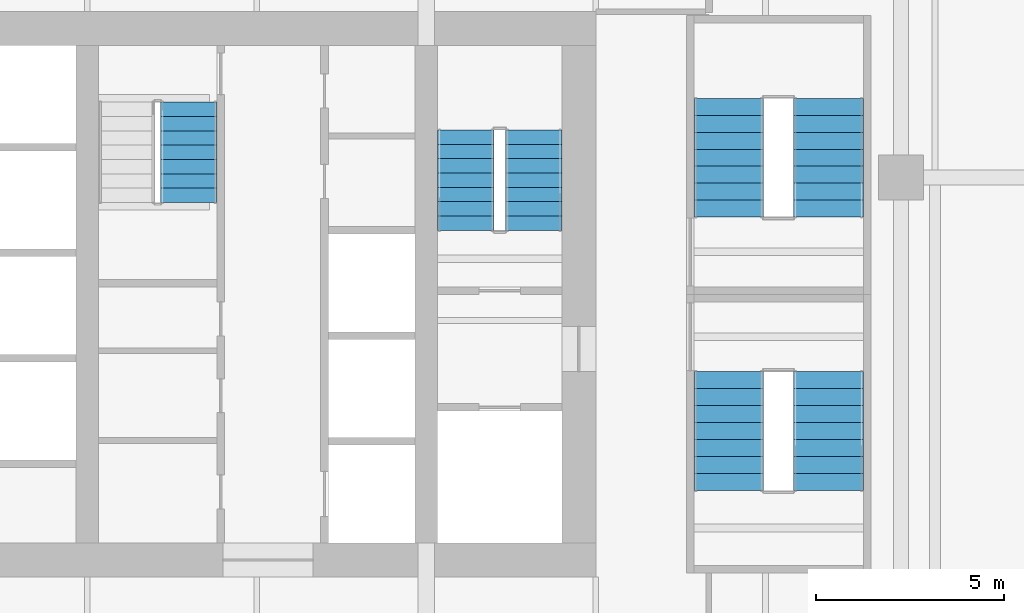
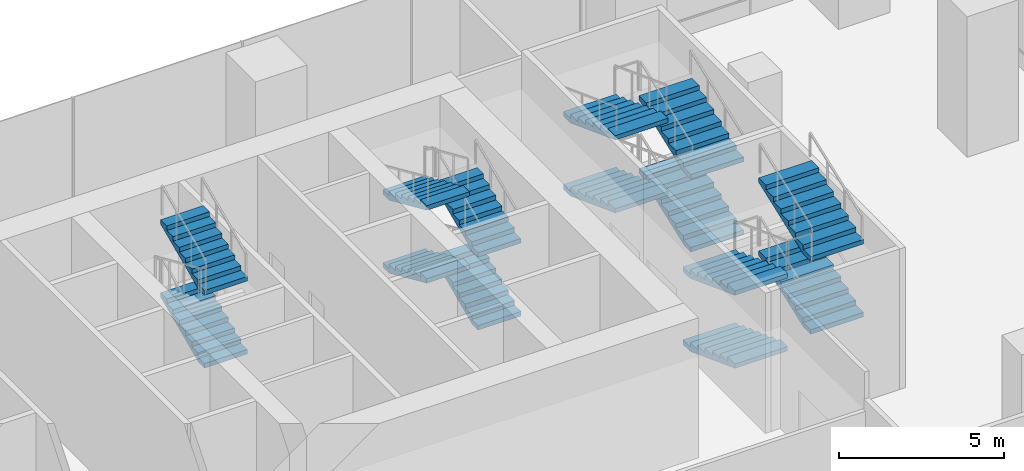
# One storey, part 22 of 26: 14 stair flights, 4 elements without a shape of their own.
"""IFC4 building model written with IfcOpenShell, lengths in metres."""

from ifc_helpers import new_model, si_unit, direction, frame, origin, place, context, subcontext, project, spatial, polyline, outline, extrude, material, type_object, element, aggregate, save


model = new_model("IFC4")

# Units and contexts
model_context = context("Model", 3, precision=1e-05, world=origin(), true_north=direction((0.0, 1.0)))
body_context = subcontext(model_context, "Body", "Model", "MODEL_VIEW")
ifc_project = project(units=[si_unit("LENGTHUNIT", "METRE"), si_unit("AREAUNIT", "SQUARE_METRE"), si_unit("VOLUMEUNIT", "CUBIC_METRE"), si_unit("PLANEANGLEUNIT", "RADIAN"), si_unit("MASSUNIT", "GRAM", prefix="KILO")], contexts=[model_context])

# Site, building, storey
site_placement = place(None, origin())
site = spatial("IfcSite", under=ifc_project, at=site_placement, CompositionType="ELEMENT")
building_placement = place(site_placement, origin())
building = spatial("IfcBuilding", under=site, at=building_placement, Name="Rattan Terrace Tower", CompositionType="ELEMENT")
storey_placement = place(building_placement, frame((0.0, 0.0, 7.199951171875)))
storey = spatial("IfcBuildingStorey", under=building, at=storey_placement, Name="L01", CompositionType="ELEMENT", Elevation=7.199951171875)

# Stair, stair flights
ifc_material_1 = material(Name="Concrete C40/50", Category="concrete")
stair_type_1 = type_object("IfcStairType", Name="Core exit stair 1500", PredefinedType="HALF_TURN_STAIR", material=ifc_material_1)
stair_1_placement = place(storey_placement, origin())
stair_1 = element("IfcStair", 1, at=stair_1_placement, inside=storey, type_object=stair_type_1, Name="L01 exit stair 2", PredefinedType="HALF_TURN_STAIR")
ifc_material_2 = material(Name="Concrete C40/50", Category="concrete")
stair_flight_type_1 = type_object("IfcStairFlightType", Name="Core exit stair flight 1500", PredefinedType="STRAIGHT", material=ifc_material_2)
stair_flight_1_placement = place(storey_placement, frame((16.35009765625, 1.699951171875, 0.0), z_axis=(0.0, 0.0, 1.0), x_axis=(0.0, 1.0, 0.0)))
stair_flight_1 = element("IfcStairFlight", 2, at=stair_flight_1_placement, type_object=stair_flight_type_1, Name="S2 flight 1", NumberOfRisers=8, NumberOfTreads=7, PredefinedType="STRAIGHT", RiserHeight=0.16875, TreadLength=0.38, context=body_context, shape_type="SweptSolid", body=[
    extrude(outline(polyline([(0.0, 0.0), (0.0, 0.168701171875), (0.3798828125, 0.168701171875), (0.3798828125, 0.33740234375), (0.760009765625, 0.33740234375), (0.760009765625, 0.50634765625), (1.139892578125, 0.50634765625), (1.139892578125, 0.675048828125), (1.52001953125, 0.675048828125), (1.52001953125, 0.84375), (1.89990234375, 0.84375), (1.89990234375, 1.012451171875), (2.280029296875, 1.012451171875), (2.280029296875, 1.18115234375), (2.659912109375, 1.18115234375), (2.659912109375, 1.35009765625), (2.659912109375, 1.017333984375), (0.369384765625, 0.0), (0.0, 0.0)])), frame((0.0, 0.75, 0.0), z_axis=(0.0, -1.0, 0.0), x_axis=(1.0, 0.0, 0.0)), (0.0, 0.0, 1.0), 1.5),
])
stair_flight_2_placement = place(storey_placement, frame((14.550048828125, 4.360107421875, 1.35009765625), z_axis=(0.0, 0.0, 1.0), x_axis=(0.0, -1.0, 0.0)))
stair_flight_2 = element("IfcStairFlight", 3, at=stair_flight_2_placement, type_object=stair_flight_type_1, Name="S2 flight 2", NumberOfRisers=8, NumberOfTreads=7, PredefinedType="STRAIGHT", RiserHeight=0.16875, TreadLength=0.38, context=body_context, shape_type="SweptSolid", body=[
    extrude(outline(polyline([(0.0, 0.0), (0.0, 0.168701171875), (0.3798828125, 0.168701171875), (0.3798828125, 0.33740234375), (0.760009765625, 0.33740234375), (0.760009765625, 0.50634765625), (1.139892578125, 0.50634765625), (1.139892578125, 0.675048828125), (1.52001953125, 0.675048828125), (1.52001953125, 0.84375), (1.89990234375, 0.84375), (1.89990234375, 1.012451171875), (2.280029296875, 1.012451171875), (2.280029296875, 1.18115234375), (2.659912109375, 1.18115234375), (2.659912109375, 1.35009765625), (2.659912109375, 1.017333984375), (0.369384765625, 0.0), (0.0, 0.0)])), frame((0.0, 0.75, 0.0), z_axis=(0.0, -1.0, 0.0), x_axis=(1.0, 0.0, 0.0)), (0.0, 0.0, 1.0), 1.5),
])
stair_flight_3_placement = place(storey_placement, frame((16.35009765625, 1.699951171875, 2.699951171875), z_axis=(0.0, 0.0, 1.0), x_axis=(0.0, 1.0, 0.0)))
stair_flight_3 = element("IfcStairFlight", 4, at=stair_flight_3_placement, type_object=stair_flight_type_1, Name="S2 flight 3", NumberOfRisers=8, NumberOfTreads=7, PredefinedType="STRAIGHT", RiserHeight=0.16875, TreadLength=0.38, context=body_context, shape_type="SweptSolid", body=[
    extrude(outline(polyline([(0.0, 0.0), (0.0, 0.168701171875), (0.3798828125, 0.168701171875), (0.3798828125, 0.33740234375), (0.760009765625, 0.33740234375), (0.760009765625, 0.50634765625), (1.139892578125, 0.50634765625), (1.139892578125, 0.675048828125), (1.52001953125, 0.675048828125), (1.52001953125, 0.84375), (1.89990234375, 0.84375), (1.89990234375, 1.012451171875), (2.280029296875, 1.012451171875), (2.280029296875, 1.18115234375), (2.659912109375, 1.18115234375), (2.659912109375, 1.35009765625), (2.659912109375, 1.017333984375), (0.369384765625, 0.0), (0.0, 0.0)])), frame((0.0, 0.75, 0.0), z_axis=(0.0, -1.0, 0.0), x_axis=(1.0, 0.0, 0.0)), (0.0, 0.0, 1.0), 1.5),
])
stair_flight_4_placement = place(storey_placement, frame((14.550048828125, 4.360107421875, 4.050048828125), z_axis=(0.0, 0.0, 1.0), x_axis=(0.0, -1.0, 0.0)))
stair_flight_4 = element("IfcStairFlight", 5, at=stair_flight_4_placement, type_object=stair_flight_type_1, Name="S2 flight 4", NumberOfRisers=8, NumberOfTreads=7, PredefinedType="STRAIGHT", RiserHeight=0.16875, TreadLength=0.38, context=body_context, shape_type="SweptSolid", body=[
    extrude(outline(polyline([(0.0, 0.0), (0.0, 0.168701171875), (0.3798828125, 0.168701171875), (0.3798828125, 0.33740234375), (0.760009765625, 0.33740234375), (0.760009765625, 0.50634765625), (1.139892578125, 0.50634765625), (1.139892578125, 0.675048828125), (1.52001953125, 0.675048828125), (1.52001953125, 0.84375), (1.89990234375, 0.84375), (1.89990234375, 1.012451171875), (2.280029296875, 1.012451171875), (2.280029296875, 1.18115234375), (2.659912109375, 1.18115234375), (2.659912109375, 1.35009765625), (2.659912109375, 1.017333984375), (0.369384765625, 0.0), (0.0, 0.0)])), frame((0.0, 0.75, 0.0), z_axis=(0.0, -1.0, 0.0), x_axis=(1.0, 0.0, 0.0)), (0.0, 0.0, 1.0), 1.5),
])
aggregate(stair_1, [stair_flight_1, stair_flight_2, stair_flight_3, stair_flight_4])

stair_2_placement = place(storey_placement, origin())
stair_2 = element("IfcStair", 6, at=stair_2_placement, inside=storey, type_object=stair_type_1, Name="L01 exit stair 3", PredefinedType="HALF_TURN_STAIR")
stair_flight_5_placement = place(storey_placement, frame((7.199951171875, 2.43994140625, 1.35009765625), z_axis=(0.0, 0.0, 1.0), x_axis=(0.0, 1.0, 0.0)))
stair_flight_5 = element("IfcStairFlight", 7, at=stair_flight_5_placement, type_object=stair_flight_type_1, Name="S3 flight 2", NumberOfRisers=8, NumberOfTreads=7, PredefinedType="STRAIGHT", RiserHeight=0.16875, TreadLength=0.38, context=body_context, shape_type="SweptSolid", body=[
    extrude(outline(polyline([(0.0, 0.0), (0.0, 0.168701171875), (0.3798828125, 0.168701171875), (0.3798828125, 0.33740234375), (0.760009765625, 0.33740234375), (0.760009765625, 0.50634765625), (1.139892578125, 0.50634765625), (1.139892578125, 0.675048828125), (1.52001953125, 0.675048828125), (1.52001953125, 0.84375), (1.89990234375, 0.84375), (1.89990234375, 1.012451171875), (2.280029296875, 1.012451171875), (2.280029296875, 1.18115234375), (2.659912109375, 1.18115234375), (2.659912109375, 1.35009765625), (2.659912109375, 1.017333984375), (0.369384765625, 0.0), (0.0, 0.0)])), frame((0.0, 0.75, 0.0), z_axis=(0.0, -1.0, 0.0), x_axis=(1.0, 0.0, 0.0)), (0.0, 0.0, 1.0), 1.5),
])
stair_flight_6_placement = place(storey_placement, frame((7.199951171875, 2.43994140625, 4.050048828125), z_axis=(0.0, 0.0, 1.0), x_axis=(0.0, 1.0, 0.0)))
stair_flight_6 = element("IfcStairFlight", 8, at=stair_flight_6_placement, type_object=stair_flight_type_1, Name="S3 flight 4", NumberOfRisers=8, NumberOfTreads=7, PredefinedType="STRAIGHT", RiserHeight=0.16875, TreadLength=0.38, context=body_context, shape_type="SweptSolid", body=[
    extrude(outline(polyline([(0.0, 0.0), (0.0, 0.168701171875), (0.3798828125, 0.168701171875), (0.3798828125, 0.33740234375), (0.760009765625, 0.33740234375), (0.760009765625, 0.50634765625), (1.139892578125, 0.50634765625), (1.139892578125, 0.675048828125), (1.52001953125, 0.675048828125), (1.52001953125, 0.84375), (1.89990234375, 0.84375), (1.89990234375, 1.012451171875), (2.280029296875, 1.012451171875), (2.280029296875, 1.18115234375), (2.659912109375, 1.18115234375), (2.659912109375, 1.35009765625), (2.659912109375, 1.017333984375), (0.369384765625, 0.0), (0.0, 0.0)])), frame((0.0, 0.75, 0.0), z_axis=(0.0, -1.0, 0.0), x_axis=(1.0, 0.0, 0.0)), (0.0, 0.0, 1.0), 1.5),
])
aggregate(stair_2, [stair_flight_5, stair_flight_6])

ifc_material_3 = material(Name="Concrete C40/50", Category="concrete")
stair_type_2 = type_object("IfcStairType", Name="Core exit stair 1850", PredefinedType="HALF_TURN_STAIR", material=ifc_material_3)
stair_3_placement = place(storey_placement, origin())
stair_3 = element("IfcStair", 9, at=stair_3_placement, inside=storey, type_object=stair_type_2, Name="L01 exit stair 6", PredefinedType="HALF_TURN_STAIR")
ifc_material_4 = material(Name="Concrete C40/50", Category="concrete")
stair_flight_type_2 = type_object("IfcStairFlightType", Name="Core exit stair flight 1850", PredefinedType="STRAIGHT", material=ifc_material_4)
stair_flight_7_placement = place(storey_placement, frame((21.52490234375, -2.050048828125, 0.0), z_axis=(0.0, 0.0, 1.0), x_axis=(0.0, -1.0, 0.0)))
stair_flight_7 = element("IfcStairFlight", 10, at=stair_flight_7_placement, type_object=stair_flight_type_2, Name="S6 flight 1", NumberOfRisers=8, NumberOfTreads=7, PredefinedType="STRAIGHT", RiserHeight=0.16875, TreadLength=0.45, context=body_context, shape_type="SweptSolid", body=[
    extrude(outline(polyline([(0.0, 0.0), (0.0, 0.168701171875), (0.449951171875, 0.168701171875), (0.449951171875, 0.33740234375), (0.89990234375, 0.33740234375), (0.89990234375, 0.50634765625), (1.35009765625, 0.50634765625), (1.35009765625, 0.675048828125), (1.800048828125, 0.675048828125), (1.800048828125, 0.84375), (2.25, 0.84375), (2.25, 1.012451171875), (2.699951171875, 1.012451171875), (2.699951171875, 1.18115234375), (3.14990234375, 1.18115234375), (3.14990234375, 1.35009765625), (3.14990234375, 1.021240234375), (0.427001953125, 0.0), (0.0, 0.0)])), frame((0.0, 0.925048828125, 0.0), z_axis=(0.0, -1.0, 0.0), x_axis=(1.0, 0.0, 0.0)), (0.0, 0.0, 1.0), 1.85009765625),
])
stair_flight_8_placement = place(storey_placement, frame((24.175048828125, -5.199951171875, 1.35009765625), z_axis=(0.0, 0.0, 1.0), x_axis=(0.0, 1.0, 0.0)))
stair_flight_8 = element("IfcStairFlight", 11, at=stair_flight_8_placement, type_object=stair_flight_type_2, Name="S6 flight 2", NumberOfRisers=8, NumberOfTreads=7, PredefinedType="STRAIGHT", RiserHeight=0.16875, TreadLength=0.45, context=body_context, shape_type="SweptSolid", body=[
    extrude(outline(polyline([(0.0, 0.0), (0.0, 0.168701171875), (0.449951171875, 0.168701171875), (0.449951171875, 0.33740234375), (0.89990234375, 0.33740234375), (0.89990234375, 0.50634765625), (1.35009765625, 0.50634765625), (1.35009765625, 0.675048828125), (1.800048828125, 0.675048828125), (1.800048828125, 0.84375), (2.25, 0.84375), (2.25, 1.012451171875), (2.699951171875, 1.012451171875), (2.699951171875, 1.18115234375), (3.14990234375, 1.18115234375), (3.14990234375, 1.35009765625), (3.14990234375, 1.021240234375), (0.427001953125, 0.0), (0.0, 0.0)])), frame((0.0, 0.925048828125, 0.0), z_axis=(0.0, -1.0, 0.0), x_axis=(1.0, 0.0, 0.0)), (0.0, 0.0, 1.0), 1.85009765625),
])
stair_flight_9_placement = place(storey_placement, frame((21.52490234375, -2.050048828125, 2.699951171875), z_axis=(0.0, 0.0, 1.0), x_axis=(0.0, -1.0, 0.0)))
stair_flight_9 = element("IfcStairFlight", 12, at=stair_flight_9_placement, type_object=stair_flight_type_2, Name="S6 flight 3", NumberOfRisers=8, NumberOfTreads=7, PredefinedType="STRAIGHT", RiserHeight=0.16875, TreadLength=0.45, context=body_context, shape_type="SweptSolid", body=[
    extrude(outline(polyline([(0.0, 0.0), (0.0, 0.168701171875), (0.449951171875, 0.168701171875), (0.449951171875, 0.33740234375), (0.89990234375, 0.33740234375), (0.89990234375, 0.50634765625), (1.35009765625, 0.50634765625), (1.35009765625, 0.675048828125), (1.800048828125, 0.675048828125), (1.800048828125, 0.84375), (2.25, 0.84375), (2.25, 1.012451171875), (2.699951171875, 1.012451171875), (2.699951171875, 1.18115234375), (3.14990234375, 1.18115234375), (3.14990234375, 1.35009765625), (3.14990234375, 1.021240234375), (0.427001953125, 0.0), (0.0, 0.0)])), frame((0.0, 0.925048828125, 0.0), z_axis=(0.0, -1.0, 0.0), x_axis=(1.0, 0.0, 0.0)), (0.0, 0.0, 1.0), 1.85009765625),
])
stair_flight_10_placement = place(storey_placement, frame((24.175048828125, -5.199951171875, 4.050048828125), z_axis=(0.0, 0.0, 1.0), x_axis=(0.0, 1.0, 0.0)))
stair_flight_10 = element("IfcStairFlight", 13, at=stair_flight_10_placement, type_object=stair_flight_type_2, Name="S6 flight 4", NumberOfRisers=8, NumberOfTreads=7, PredefinedType="STRAIGHT", RiserHeight=0.16875, TreadLength=0.45, context=body_context, shape_type="SweptSolid", body=[
    extrude(outline(polyline([(0.0, 0.0), (0.0, 0.168701171875), (0.449951171875, 0.168701171875), (0.449951171875, 0.33740234375), (0.89990234375, 0.33740234375), (0.89990234375, 0.50634765625), (1.35009765625, 0.50634765625), (1.35009765625, 0.675048828125), (1.800048828125, 0.675048828125), (1.800048828125, 0.84375), (2.25, 0.84375), (2.25, 1.012451171875), (2.699951171875, 1.012451171875), (2.699951171875, 1.18115234375), (3.14990234375, 1.18115234375), (3.14990234375, 1.35009765625), (3.14990234375, 1.021240234375), (0.427001953125, 0.0), (0.0, 0.0)])), frame((0.0, 0.925048828125, 0.0), z_axis=(0.0, -1.0, 0.0), x_axis=(1.0, 0.0, 0.0)), (0.0, 0.0, 1.0), 1.85009765625),
])
aggregate(stair_3, [stair_flight_7, stair_flight_8, stair_flight_9, stair_flight_10])

stair_4_placement = place(storey_placement, origin())
stair_4 = element("IfcStair", 14, at=stair_4_placement, inside=storey, type_object=stair_type_2, Name="L01 exit stair 7", PredefinedType="HALF_TURN_STAIR")
stair_flight_11_placement = place(storey_placement, frame((24.175048828125, 2.050048828125, 0.0), z_axis=(0.0, 0.0, 1.0), x_axis=(0.0, 1.0, 0.0)))
stair_flight_11 = element("IfcStairFlight", 15, at=stair_flight_11_placement, type_object=stair_flight_type_2, Name="S7 flight 1", NumberOfRisers=8, NumberOfTreads=7, PredefinedType="STRAIGHT", RiserHeight=0.16875, TreadLength=0.45, context=body_context, shape_type="SweptSolid", body=[
    extrude(outline(polyline([(0.0, 0.0), (0.0, 0.168701171875), (0.449951171875, 0.168701171875), (0.449951171875, 0.33740234375), (0.89990234375, 0.33740234375), (0.89990234375, 0.50634765625), (1.35009765625, 0.50634765625), (1.35009765625, 0.675048828125), (1.800048828125, 0.675048828125), (1.800048828125, 0.84375), (2.25, 0.84375), (2.25, 1.012451171875), (2.699951171875, 1.012451171875), (2.699951171875, 1.18115234375), (3.14990234375, 1.18115234375), (3.14990234375, 1.35009765625), (3.14990234375, 1.021240234375), (0.427001953125, 0.0), (0.0, 0.0)])), frame((0.0, 0.925048828125, 0.0), z_axis=(0.0, -1.0, 0.0), x_axis=(1.0, 0.0, 0.0)), (0.0, 0.0, 1.0), 1.85009765625),
])
stair_flight_12_placement = place(storey_placement, frame((21.52490234375, 5.199951171875, 1.35009765625), z_axis=(0.0, 0.0, 1.0), x_axis=(0.0, -1.0, 0.0)))
stair_flight_12 = element("IfcStairFlight", 16, at=stair_flight_12_placement, type_object=stair_flight_type_2, Name="S7 flight 2", NumberOfRisers=8, NumberOfTreads=7, PredefinedType="STRAIGHT", RiserHeight=0.16875, TreadLength=0.45, context=body_context, shape_type="SweptSolid", body=[
    extrude(outline(polyline([(0.0, 0.0), (0.0, 0.168701171875), (0.449951171875, 0.168701171875), (0.449951171875, 0.33740234375), (0.89990234375, 0.33740234375), (0.89990234375, 0.50634765625), (1.35009765625, 0.50634765625), (1.35009765625, 0.675048828125), (1.800048828125, 0.675048828125), (1.800048828125, 0.84375), (2.25, 0.84375), (2.25, 1.012451171875), (2.699951171875, 1.012451171875), (2.699951171875, 1.18115234375), (3.14990234375, 1.18115234375), (3.14990234375, 1.35009765625), (3.14990234375, 1.021240234375), (0.427001953125, 0.0), (0.0, 0.0)])), frame((0.0, 0.925048828125, 0.0), z_axis=(0.0, -1.0, 0.0), x_axis=(1.0, 0.0, 0.0)), (0.0, 0.0, 1.0), 1.85009765625),
])
stair_flight_13_placement = place(storey_placement, frame((24.175048828125, 2.050048828125, 2.699951171875), z_axis=(0.0, 0.0, 1.0), x_axis=(0.0, 1.0, 0.0)))
stair_flight_13 = element("IfcStairFlight", 17, at=stair_flight_13_placement, type_object=stair_flight_type_2, Name="S7 flight 3", NumberOfRisers=8, NumberOfTreads=7, PredefinedType="STRAIGHT", RiserHeight=0.16875, TreadLength=0.45, context=body_context, shape_type="SweptSolid", body=[
    extrude(outline(polyline([(0.0, 0.0), (0.0, 0.168701171875), (0.449951171875, 0.168701171875), (0.449951171875, 0.33740234375), (0.89990234375, 0.33740234375), (0.89990234375, 0.50634765625), (1.35009765625, 0.50634765625), (1.35009765625, 0.675048828125), (1.800048828125, 0.675048828125), (1.800048828125, 0.84375), (2.25, 0.84375), (2.25, 1.012451171875), (2.699951171875, 1.012451171875), (2.699951171875, 1.18115234375), (3.14990234375, 1.18115234375), (3.14990234375, 1.35009765625), (3.14990234375, 1.021240234375), (0.427001953125, 0.0), (0.0, 0.0)])), frame((0.0, 0.925048828125, 0.0), z_axis=(0.0, -1.0, 0.0), x_axis=(1.0, 0.0, 0.0)), (0.0, 0.0, 1.0), 1.85009765625),
])
stair_flight_14_placement = place(storey_placement, frame((21.52490234375, 5.199951171875, 4.050048828125), z_axis=(0.0, 0.0, 1.0), x_axis=(0.0, -1.0, 0.0)))
stair_flight_14 = element("IfcStairFlight", 18, at=stair_flight_14_placement, type_object=stair_flight_type_2, Name="S7 flight 4", NumberOfRisers=8, NumberOfTreads=7, PredefinedType="STRAIGHT", RiserHeight=0.16875, TreadLength=0.45, context=body_context, shape_type="SweptSolid", body=[
    extrude(outline(polyline([(0.0, 0.0), (0.0, 0.168701171875), (0.449951171875, 0.168701171875), (0.449951171875, 0.33740234375), (0.89990234375, 0.33740234375), (0.89990234375, 0.50634765625), (1.35009765625, 0.50634765625), (1.35009765625, 0.675048828125), (1.800048828125, 0.675048828125), (1.800048828125, 0.84375), (2.25, 0.84375), (2.25, 1.012451171875), (2.699951171875, 1.012451171875), (2.699951171875, 1.18115234375), (3.14990234375, 1.18115234375), (3.14990234375, 1.35009765625), (3.14990234375, 1.021240234375), (0.427001953125, 0.0), (0.0, 0.0)])), frame((0.0, 0.925048828125, 0.0), z_axis=(0.0, -1.0, 0.0), x_axis=(1.0, 0.0, 0.0)), (0.0, 0.0, 1.0), 1.85009765625),
])
aggregate(stair_4, [stair_flight_11, stair_flight_12, stair_flight_13, stair_flight_14])

save(model, "model.ifc")
